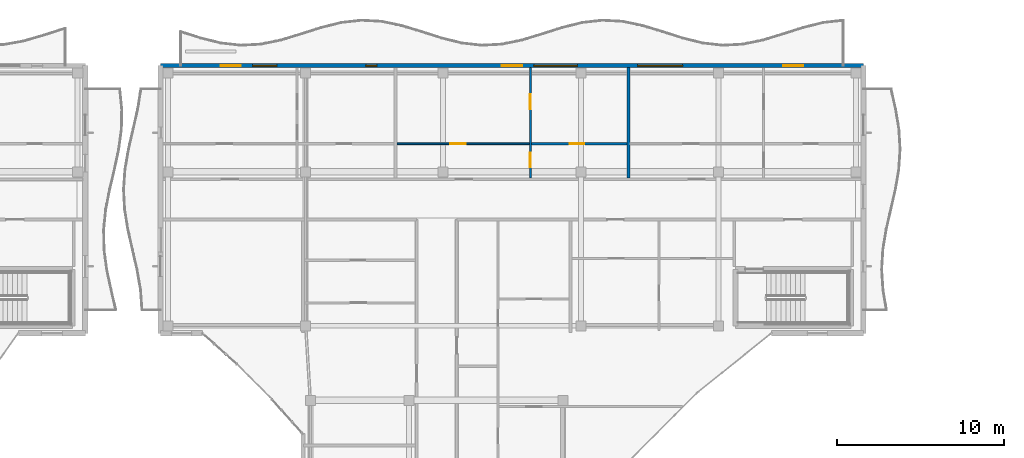
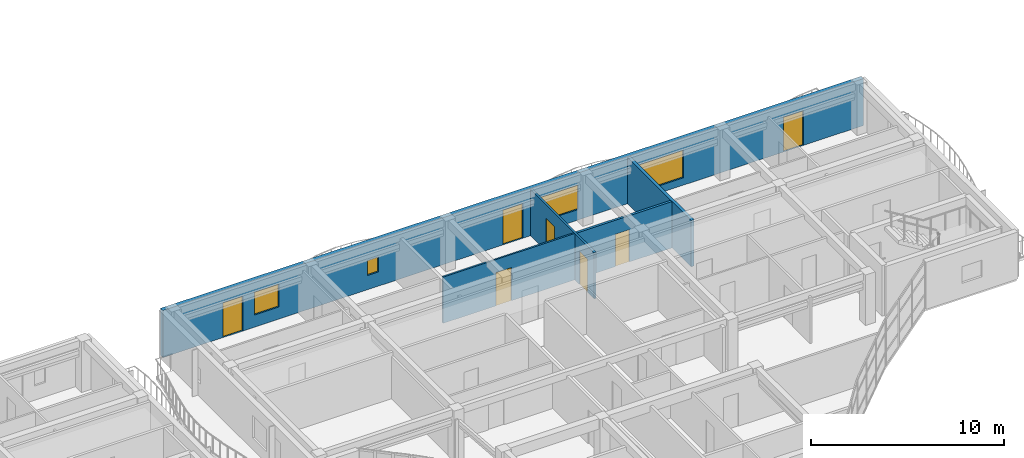
# One storey, part 37 of 76: 7 doors, 5 walls, 4 windows, 11 openings.
"""IFC4 building model written with IfcOpenShell, lengths in metres."""

import ifcopenshell
import ifcopenshell.guid

model = None  # the IFC model being written
_history = None  # IfcOwnerHistory: only IFC2X3 demands one
_inside = {}  # id of a spatial element -> (the spatial element, [elements in it])
_under = {}  # id of a project, library or spatial element -> (it, [spatial elements below it])
_declared = {}  # id of a project -> (the project, [libraries it declares])
_typed = {}  # id of a type object -> (the type object, [elements of that type])
_made_of = {}  # id of a material, layer set ... -> (it, [elements and type objects made of it])


def new_model(schema):
    """Start an empty IFC model of exactly this schema.

    Asked for "IFC4X3", IfcOpenShell would pick the latest addendum, in which some entities
    have other attributes; the version numbers below select the first issue.
    IFC2X3 requires an IfcOwnerHistory on every rooted entity: one is made here for all.
    """
    global model, _history
    if schema == "IFC4X3":
        model = ifcopenshell.file(schema_version=(4, 3, 0, 0))
    else:
        model = ifcopenshell.file(schema=schema)
    _inside.clear()
    _under.clear()
    _declared.clear()
    _typed.clear()
    _made_of.clear()
    _history = None
    if model.schema == "IFC2X3":
        org = make("IfcOrganization", Name="unknown")
        user = make(
            "IfcPersonAndOrganization",
            ThePerson=make("IfcPerson", FamilyName="unknown"),
            TheOrganization=org,
        )
        app = make(
            "IfcApplication",
            ApplicationDeveloper=org,
            Version="unknown",
            ApplicationFullName="unknown",
            ApplicationIdentifier="unknown",
        )
        _history = make(
            "IfcOwnerHistory",
            OwningUser=user,
            OwningApplication=app,
            ChangeAction="ADDED",
            CreationDate=0,
        )
    return model


def make(cls, **values):
    """One entity of the class cls with the attributes given. An attribute that is None is left unset."""
    return model.create_entity(
        cls, **{name: value for name, value in values.items() if value is not None}
    )


def rooted(cls, **values):
    """An entity with a GlobalId (a new one), such as an element, a storey or a relation."""
    return make(cls, GlobalId=ifcopenshell.guid.new(), OwnerHistory=_history, **values)


def si_unit(unit_type, name, prefix=None):
    """IfcSIUnit, for example si_unit("LENGTHUNIT", "METRE", prefix="MILLI")."""
    return make("IfcSIUnit", UnitType=unit_type, Prefix=prefix, Name=name)


def assignment(units):
    """IfcUnitAssignment: the units of a project."""
    return None if units is None else make("IfcUnitAssignment", Units=units)


def point(xyz):
    """IfcCartesianPoint."""
    return None if xyz is None else make("IfcCartesianPoint", Coordinates=xyz)


def direction(xyz):
    """IfcDirection."""
    return None if xyz is None else make("IfcDirection", DirectionRatios=xyz)


def frame(location, z_axis=None, x_axis=None):
    """IfcAxis2Placement3D, a coordinate frame: its origin and axes. An axis left out is left unset."""
    return make(
        "IfcAxis2Placement3D",
        Location=point(location),
        Axis=direction(z_axis),
        RefDirection=direction(x_axis),
    )


def frame_2d(location, x_axis=None):
    """IfcAxis2Placement2D, a coordinate frame in the plane: its origin and x axis."""
    return make(
        "IfcAxis2Placement2D", Location=point(location), RefDirection=direction(x_axis)
    )


def origin():
    """The frame at (0, 0, 0) with its axes left unset."""
    return frame((0.0, 0.0, 0.0))


def place(relative_to, where):
    """IfcLocalPlacement: puts the frame where relative to a parent placement (None: the world)."""
    return make(
        "IfcLocalPlacement", PlacementRelTo=relative_to, RelativePlacement=where
    )


def context(
    kind, dimensions, precision=None, world=None, true_north=None, identifier=None
):
    """IfcGeometricRepresentationContext, for example the 3D "Model" context."""
    return make(
        "IfcGeometricRepresentationContext",
        ContextIdentifier=identifier,
        ContextType=kind,
        CoordinateSpaceDimension=dimensions,
        Precision=precision,
        WorldCoordinateSystem=world,
        TrueNorth=true_north,
    )


def subcontext(parent, identifier, kind, view, scale=None):
    """IfcGeometricRepresentationSubContext, for example "Body" below "Model"."""
    return make(
        "IfcGeometricRepresentationSubContext",
        ContextIdentifier=identifier,
        ContextType=kind,
        ParentContext=parent,
        TargetScale=scale,
        TargetView=view,
    )


def project(units=None, contexts=None):
    """IfcProject with its units and contexts."""
    return rooted(
        "IfcProject",
        Name="project",
        RepresentationContexts=contexts,
        UnitsInContext=assignment(units),
    )


def spatial(cls, under=None, at=None, **own):
    """A site, building, storey or space (cls), placed at a placement, below another one or the project."""
    s = rooted(cls, ObjectPlacement=at, **own)
    if under is not None:
        _under.setdefault(under.id(), (under, []))[1].append(s)
    return s


def profile(cls, at=None, kind="AREA", **sizes):
    """A parametric profile (cls). Its sizes go by their IFC names, for example OverallWidth=200.0."""
    return make(cls, ProfileType=kind, Position=at, **sizes)


def rectangle(**sizes):
    """IfcRectangleProfileDef."""
    return profile("IfcRectangleProfileDef", **sizes)


def extrude(swept, where, along, depth):
    """IfcExtrudedAreaSolid: the profile swept, set in the frame where, extruded along a direction by depth."""
    return make(
        "IfcExtrudedAreaSolid",
        SweptArea=swept,
        Position=where,
        ExtrudedDirection=direction(along),
        Depth=depth,
    )


def shape(context_of_items, identifier, shape_type, items):
    """IfcShapeRepresentation: the items that make up one representation, for example the "Body"."""
    return make(
        "IfcShapeRepresentation",
        ContextOfItems=context_of_items,
        RepresentationIdentifier=identifier,
        RepresentationType=shape_type,
        Items=items,
    )


def material(Name=None, Category=None):
    """IfcMaterial."""
    return make("IfcMaterial", Name=Name, Category=Category)


def layer(
    of_material, thickness, ventilated=None, Name=None, Category=None, Priority=None
):
    """IfcMaterialLayer: one layer of a wall or slab, of a material (None: an air gap)."""
    return make(
        "IfcMaterialLayer",
        Material=of_material,
        LayerThickness=thickness,
        IsVentilated=ventilated,
        Name=Name,
        Category=Category,
        Priority=Priority,
    )


def layer_set(layers, Name=None):
    """IfcMaterialLayerSet."""
    return make("IfcMaterialLayerSet", MaterialLayers=layers, LayerSetName=Name)


def made_of(thing, what):
    """Note that an element or type object is made of a material, layer set ...; save() writes the relation."""
    if what is not None:
        _made_of.setdefault(what.id(), (what, []))[1].append(thing)
    return thing


def type_object(cls, material=None, **own):
    """A type object (cls), such as IfcWallType, which elements share."""
    return made_of(rooted(cls, **own), material)


def element(
    cls,
    number,
    at=None,
    inside=None,
    cuts=None,
    type_object=None,
    material=None,
    context=None,
    identifier="Body",
    shape_type=None,
    held_by="IfcProductDefinitionShape",
    body=None,
    shapes=None,
    **own,
):
    """One element of the class cls, such as IfcWall. Its Tag is "e" and its number.

    at: its placement. inside: the storey or other place that contains it. cuts: it is an
    opening in that element (IfcRelVoidsElement). A single representation is given by context,
    identifier, shape_type and body (its items); several are given by shapes. held_by: the class
    of the entity that holds the representations. save() writes the other relations.
    """
    e = rooted(cls, Tag="e%d" % number, ObjectPlacement=at, **own)
    if body is not None:
        shapes = [shape(context, identifier, shape_type, body)]
    if shapes is not None:
        e.Representation = make(held_by, Representations=shapes)
    if inside is not None:
        _inside.setdefault(inside.id(), (inside, []))[1].append(e)
    if cuts is not None:
        rooted(
            "IfcRelVoidsElement", RelatingBuildingElement=cuts, RelatedOpeningElement=e
        )
    if type_object is not None:
        _typed.setdefault(type_object.id(), (type_object, []))[1].append(e)
    return made_of(e, material)


def fill(opening, filler):
    """IfcRelFillsElement: the door or window that sits in an opening."""
    return rooted(
        "IfcRelFillsElement",
        RelatingOpeningElement=opening,
        RelatedBuildingElement=filler,
    )


def aggregate(whole, parts):
    """IfcRelAggregates: a whole, such as a stair, and the parts it consists of."""
    return rooted("IfcRelAggregates", RelatingObject=whole, RelatedObjects=parts)


def save(model, path):
    """Write the relations noted so far, then the file.

    IfcRelAggregates (storeys below a building ...), IfcRelContainedInSpatialStructure (elements
    in a storey), IfcRelDefinesByType, IfcRelAssociatesMaterial and IfcRelDeclares: one each for
    every whole, place, type object, material and project.
    """
    for whole, parts in _under.values():
        aggregate(whole, parts)
    for where, things in _inside.values():
        rooted(
            "IfcRelContainedInSpatialStructure",
            RelatedElements=things,
            RelatingStructure=where,
        )
    for kind, things in _typed.values():
        rooted("IfcRelDefinesByType", RelatedObjects=things, RelatingType=kind)
    for what, things in _made_of.values():
        rooted("IfcRelAssociatesMaterial", RelatedObjects=things, RelatingMaterial=what)
    for by, libraries in _declared.values():
        rooted("IfcRelDeclares", RelatingContext=by, RelatedDefinitions=libraries)
    model.write(path)


model = new_model("IFC4")

# Units and contexts
model_context = context("Model", 3, precision=1e-05, world=origin(), true_north=direction((0.0, 1.0)))
body_context = subcontext(model_context, "Body", "Model", "MODEL_VIEW")
ifc_project = project(units=[si_unit("LENGTHUNIT", "METRE"), si_unit("AREAUNIT", "SQUARE_METRE"), si_unit("VOLUMEUNIT", "CUBIC_METRE"), si_unit("PLANEANGLEUNIT", "RADIAN"), si_unit("MASSUNIT", "GRAM", prefix="KILO")], contexts=[model_context])

# Site, building, storey
site_placement = place(None, origin())
site = spatial("IfcSite", under=ifc_project, at=site_placement, CompositionType="ELEMENT")
building_placement = place(site_placement, origin())
building = spatial("IfcBuilding", under=site, at=building_placement, Name="Keldmere Railside Commons", CompositionType="ELEMENT")
storey_placement = place(building_placement, frame((0.0, 0.0, 13.760009765625)))
storey = spatial("IfcBuildingStorey", under=building, at=storey_placement, Name="L04", CompositionType="ELEMENT", Elevation=13.760009765625)

# Wall
ifc_material_1 = material(Name="Acoustic Gypsum Board Partition", Category="gypsum")
ifc_layer_1 = layer(ifc_material_1, 0.179931640625, Name="Acoustic Demising Partition 180")
ifc_layer_set_1 = layer_set([ifc_layer_1], Name="Acoustic Gypsum Board Partition")
wall_type_1 = type_object("IfcWallType", Name="Acoustic Demising Partition 180", PredefinedType="PARTITIONING", material=ifc_layer_set_1)
wall_1_placement = place(storey_placement, frame((67.449951171875, 109.280029296875, 0.0), z_axis=(0.0, 0.0, 1.0), x_axis=(0.0, 1.0, 0.0)))
element("IfcWall", 1, at=wall_1_placement, inside=storey, type_object=wall_type_1, Name="IW-1 IW-L04-0663", PredefinedType="PARTITIONING", context=body_context, shape_type="SweptSolid", body=[
    extrude(rectangle(XDim=6.599853515625, YDim=0.179931640625, at=frame_2d((3.2998046875, 0.0))), origin(), (0.0, 0.0, 1.0), 2.93505859375),
])

# Wall, openings, doors
ifc_layer_2 = layer(ifc_material_1, 0.1201171875, Name="Apartment Interior Partition 120")
ifc_layer_set_2 = layer_set([ifc_layer_2], Name="Acoustic Gypsum Board Partition")
wall_type_2 = type_object("IfcWallType", Name="Apartment Interior Partition 120", PredefinedType="PARTITIONING", material=ifc_layer_set_2)
wall_2_placement = place(storey_placement, frame((61.60009765625, 109.280029296875, 0.0), z_axis=(0.0, 0.0, 1.0), x_axis=(0.0, 1.0, 0.0)))
wall_2 = element("IfcWall", 2, at=wall_2_placement, inside=storey, type_object=wall_type_2, Name="IW-4 IW-L04-0667", PredefinedType="PARTITIONING", context=body_context, shape_type="SweptSolid", body=[
    extrude(rectangle(XDim=6.599853515625, YDim=0.1201171875, at=frame_2d((3.2998046875, 0.0))), origin(), (0.0, 0.0, 1.0), 2.93505859375),
])
opening_1_placement = place(wall_2_placement, frame((0.656005859375, 0.0, 0.0)))
opening_1 = element("IfcOpeningElement", 3, at=opening_1_placement, cuts=wall_2, Name="Opening ID-04", PredefinedType="OPENING", context=body_context, shape_type="SweptSolid", body=[
    extrude(rectangle(XDim=0.860107421875, YDim=2.10009765625, at=frame_2d((0.43017578125, 1.050048828125))), frame((0.0, 0.070068359375, 0.0), z_axis=(0.0, -1.0, 0.0), x_axis=(1.0, 0.0, 0.0)), (0.0, 0.0, 1.0), 0.14013671875),
])
opening_2_placement = place(wall_2_placement, frame((4.097412109375, 0.0, 0.0)))
opening_2 = element("IfcOpeningElement", 4, at=opening_2_placement, cuts=wall_2, Name="Opening ID-01", PredefinedType="OPENING", context=body_context, shape_type="SweptSolid", body=[
    extrude(rectangle(XDim=0.89990234375, YDim=2.10009765625, at=frame_2d((0.449951171875, 1.050048828125))), frame((0.0, 0.070068359375, 0.0), z_axis=(0.0, -1.0, 0.0), x_axis=(1.0, 0.0, 0.0)), (0.0, 0.0, 1.0), 0.14013671875),
])
ifc_material_2 = material(Name="Engineered Oak Timber", Category="wood")
door_type_1 = type_object("IfcDoorType", Name="Apartment Bathroom Door 860x2100", OperationType="NOTDEFINED", PredefinedType="DOOR", material=ifc_material_2)
door_1_placement = place(opening_1_placement, origin())
door_1 = element("IfcDoor", 5, at=door_1_placement, inside=storey, type_object=door_type_1, Name="ID-04 IDR-L04-0556", OperationType="SINGLE_SWING_RIGHT", OverallHeight=2.10009765625, OverallWidth=0.860107421875, PredefinedType="DOOR", context=body_context, shape_type="SweptSolid", body=[
    extrude(rectangle(XDim=0.860107421875, YDim=2.10009765625, at=frame_2d((0.43017578125, 1.050048828125))), frame((0.0, 0.02490234375, 0.0), z_axis=(0.0, -1.0, 0.0), x_axis=(1.0, 0.0, 0.0)), (0.0, 0.0, 1.0), 0.050048828125),
])
fill(opening_1, door_1)
door_type_2 = type_object("IfcDoorType", Name="Primary Bedroom Door 900x2100", OperationType="NOTDEFINED", PredefinedType="DOOR", material=ifc_material_2)
door_2_placement = place(opening_2_placement, origin())
door_2 = element("IfcDoor", 6, at=door_2_placement, inside=storey, type_object=door_type_2, Name="ID-01 IDR-L04-0557", OperationType="SINGLE_SWING_LEFT", OverallHeight=2.10009765625, OverallWidth=0.89990234375, PredefinedType="DOOR", context=body_context, shape_type="SweptSolid", body=[
    extrude(rectangle(XDim=0.89990234375, YDim=2.10009765625, at=frame_2d((0.449951171875, 1.050048828125))), frame((0.0, 0.02490234375, 0.0), z_axis=(0.0, -1.0, 0.0), x_axis=(1.0, 0.0, 0.0)), (0.0, 0.0, 1.0), 0.050048828125),
])
fill(opening_2, door_2)

# Wall, opening, door
ifc_layer_3 = layer(ifc_material_1, 0.10009765625, Name="Closet Light Partition 100")
ifc_layer_set_3 = layer_set([ifc_layer_3], Name="Acoustic Gypsum Board Partition")
wall_type_3 = type_object("IfcWallType", Name="Closet Light Partition 100", PredefinedType="PARTITIONING", material=ifc_layer_set_3)
wall_3_placement = place(storey_placement, frame((53.639892578125, 111.330078125, 0.0), z_axis=(0.0, 0.0, 1.0), x_axis=(1.0, 0.0, 0.0)))
wall_3 = element("IfcWall", 7, at=wall_3_placement, inside=storey, type_object=wall_type_3, Name="IW-6 IW-L04-0669", PredefinedType="PARTITIONING", context=body_context, shape_type="SweptSolid", body=[
    extrude(rectangle(XDim=7.900146484375, YDim=0.10009765625, at=frame_2d((3.9501953125, 0.0))), origin(), (0.0, 0.0, 1.0), 2.93505859375),
])
opening_3_placement = place(wall_3_placement, frame((3.18408203125, 0.0, 0.0)))
opening_3 = element("IfcOpeningElement", 8, at=opening_3_placement, cuts=wall_3, Name="Opening ID-03", PredefinedType="OPENING", context=body_context, shape_type="SweptSolid", body=[
    extrude(rectangle(XDim=0.919921875, YDim=2.10009765625, at=frame_2d((0.4599609375, 1.050048828125))), frame((0.0, 0.06005859375, 0.0), z_axis=(0.0, -1.0, 0.0), x_axis=(1.0, 0.0, 0.0)), (0.0, 0.0, 1.0), 0.1201171875),
])
door_type_3 = type_object("IfcDoorType", Name="Kitchen Pocket-Frame Swing Door 920x2100", OperationType="NOTDEFINED", PredefinedType="DOOR", material=ifc_material_2)
door_3_placement = place(opening_3_placement, origin())
door_3 = element("IfcDoor", 9, at=door_3_placement, inside=storey, type_object=door_type_3, Name="ID-03 IDR-L04-0555", OperationType="SINGLE_SWING_LEFT", OverallHeight=2.10009765625, OverallWidth=0.919921875, PredefinedType="DOOR", context=body_context, shape_type="SweptSolid", body=[
    extrude(rectangle(XDim=0.919921875, YDim=2.10009765625, at=frame_2d((0.4599609375, 1.050048828125))), frame((0.0, 0.02490234375, 0.0), z_axis=(0.0, -1.0, 0.0), x_axis=(1.0, 0.0, 0.0)), (0.0, 0.0, 1.0), 0.050048828125),
])
fill(opening_3, door_3)

# Wall, openings, doors, windows
ifc_material_3 = material(Name="Architectural Precast Concrete H-35 (C35/45)", Category="concrete")
ifc_layer_4 = layer(ifc_material_3, 0.239990234375, Name="Sand-Ochre Precast Cavity Wall 240")
ifc_layer_set_4 = layer_set([ifc_layer_4], Name="Architectural Precast Concrete H-35 (C35/45)")
wall_type_4 = type_object("IfcWallType", Name="Sand-Ochre Precast Cavity Wall 240", PredefinedType="SOLIDWALL", material=ifc_layer_set_4)
wall_4_placement = place(storey_placement, frame((39.5, 116.0, 0.0), z_axis=(0.0, 0.0, 1.0), x_axis=(1.0, 0.0, 0.0)))
wall_4 = element("IfcWall", 10, at=wall_4_placement, inside=storey, type_object=wall_type_4, Name="EW-2 EXTC-L04-0357", PredefinedType="SOLIDWALL", context=body_context, shape_type="SweptSolid", body=[
    extrude(rectangle(XDim=42.0, YDim=0.239990234375, at=frame_2d((21.0, 0.0))), origin(), (0.0, 0.0, 1.0), 2.97998046875),
])
opening_4_placement = place(wall_4_placement, frame((3.60009765625, 0.0, 0.0)))
opening_4 = element("IfcOpeningElement", 11, at=opening_4_placement, cuts=wall_4, Name="Opening BD-01", PredefinedType="OPENING", context=body_context, shape_type="SweptSolid", body=[
    extrude(rectangle(XDim=1.199951171875, YDim=2.199951171875, at=frame_2d((0.60009765625, 1.10009765625))), frame((0.0, 0.1298828125, 0.0), z_axis=(0.0, -1.0, 0.0), x_axis=(1.0, 0.0, 0.0)), (0.0, 0.0, 1.0), 0.260009765625),
])
opening_5_placement = place(wall_4_placement, frame((5.5, 0.0, 0.77001953125)))
opening_5 = element("IfcOpeningElement", 12, at=opening_5_placement, cuts=wall_4, Name="Opening WN-24", PredefinedType="OPENING", context=body_context, shape_type="SweptSolid", body=[
    extrude(rectangle(XDim=1.449951171875, YDim=1.449951171875, at=frame_2d((0.72509765625, 0.72509765625))), frame((0.0, 0.1298828125, 0.0), z_axis=(0.0, -1.0, 0.0), x_axis=(1.0, 0.0, 0.0)), (0.0, 0.0, 1.0), 0.260009765625),
])
opening_6_placement = place(wall_4_placement, frame((12.27490234375, 0.0, 0.89990234375)))
opening_6 = element("IfcOpeningElement", 13, at=opening_6_placement, cuts=wall_4, Name="Opening WN-15", PredefinedType="OPENING", context=body_context, shape_type="SweptSolid", body=[
    extrude(rectangle(XDim=0.64990234375, YDim=0.949951171875, at=frame_2d((0.324951171875, 0.47509765625))), frame((0.0, 0.1298828125, 0.0), z_axis=(0.0, -1.0, 0.0), x_axis=(1.0, 0.0, 0.0)), (0.0, 0.0, 1.0), 0.260009765625),
])
opening_7_placement = place(wall_4_placement, frame((20.39990234375, 0.0, 0.0)))
opening_7 = element("IfcOpeningElement", 14, at=opening_7_placement, cuts=wall_4, Name="Opening BD-01", PredefinedType="OPENING", context=body_context, shape_type="SweptSolid", body=[
    extrude(rectangle(XDim=1.199951171875, YDim=2.199951171875, at=frame_2d((0.60009765625, 1.10009765625))), frame((0.0, 0.1298828125, 0.0), z_axis=(0.0, -1.0, 0.0), x_axis=(1.0, 0.0, 0.0)), (0.0, 0.0, 1.0), 0.260009765625),
])
opening_8_placement = place(wall_4_placement, frame((22.300048828125, 0.0, 0.669921875)))
opening_8 = element("IfcOpeningElement", 15, at=opening_8_placement, cuts=wall_4, Name="Opening WN-39", PredefinedType="OPENING", context=body_context, shape_type="SweptSolid", body=[
    extrude(rectangle(XDim=2.60009765625, YDim=1.550048828125, at=frame_2d((1.300048828125, 0.77490234375))), frame((0.0, 0.1298828125, 0.0), z_axis=(0.0, -1.0, 0.0), x_axis=(1.0, 0.0, 0.0)), (0.0, 0.0, 1.0), 0.260009765625),
])
opening_9_placement = place(wall_4_placement, frame((28.5, 0.0, 0.469970703125)))
opening_9 = element("IfcOpeningElement", 16, at=opening_9_placement, cuts=wall_4, Name="Opening WN-19", PredefinedType="OPENING", context=body_context, shape_type="SweptSolid", body=[
    extrude(rectangle(XDim=2.699951171875, YDim=1.75, at=frame_2d((1.35009765625, 0.875))), frame((0.0, 0.1298828125, 0.0), z_axis=(0.0, -1.0, 0.0), x_axis=(1.0, 0.0, 0.0)), (0.0, 0.0, 1.0), 0.260009765625),
])
opening_10_placement = place(wall_4_placement, frame((37.199951171875, 0.0, 0.0)))
opening_10 = element("IfcOpeningElement", 17, at=opening_10_placement, cuts=wall_4, Name="Opening BD-01", PredefinedType="OPENING", context=body_context, shape_type="SweptSolid", body=[
    extrude(rectangle(XDim=1.199951171875, YDim=2.199951171875, at=frame_2d((0.60009765625, 1.10009765625))), frame((0.0, 0.1298828125, 0.0), z_axis=(0.0, -1.0, 0.0), x_axis=(1.0, 0.0, 0.0)), (0.0, 0.0, 1.0), 0.260009765625),
])
ifc_material_4 = material(Name="Thermally Broken Aluminium", Category="aluminium")
door_type_4 = type_object("IfcDoorType", Name="Apartment Living Wave-Balcony Glazed Door 1200x2200", OperationType="NOTDEFINED", PredefinedType="DOOR", material=ifc_material_4)
door_4_placement = place(opening_4_placement, origin())
door_4 = element("IfcDoor", 18, at=door_4_placement, inside=storey, type_object=door_type_4, Name="BD-01 DR-L04-0080", OperationType="SINGLE_SWING_RIGHT", OverallHeight=2.199951171875, OverallWidth=1.199951171875, PredefinedType="DOOR", context=body_context, shape_type="SweptSolid", body=[
    extrude(rectangle(XDim=1.199951171875, YDim=2.199951171875, at=frame_2d((0.60009765625, 1.10009765625))), frame((0.0, 0.02490234375, 0.0), z_axis=(0.0, -1.0, 0.0), x_axis=(1.0, 0.0, 0.0)), (0.0, 0.0, 1.0), 0.050048828125),
])
fill(opening_4, door_4)
door_5_placement = place(opening_7_placement, origin())
door_5 = element("IfcDoor", 19, at=door_5_placement, inside=storey, type_object=door_type_4, Name="BD-01 DR-L04-0081", OperationType="SINGLE_SWING_LEFT", OverallHeight=2.199951171875, OverallWidth=1.199951171875, PredefinedType="DOOR", context=body_context, shape_type="SweptSolid", body=[
    extrude(rectangle(XDim=1.199951171875, YDim=2.199951171875, at=frame_2d((0.60009765625, 1.10009765625))), frame((0.0, 0.02490234375, 0.0), z_axis=(0.0, -1.0, 0.0), x_axis=(1.0, 0.0, 0.0)), (0.0, 0.0, 1.0), 0.050048828125),
])
fill(opening_7, door_5)
door_6_placement = place(opening_10_placement, origin())
door_6 = element("IfcDoor", 20, at=door_6_placement, inside=storey, type_object=door_type_4, Name="BD-01 DR-L04-0082", OperationType="SINGLE_SWING_RIGHT", OverallHeight=2.199951171875, OverallWidth=1.199951171875, PredefinedType="DOOR", context=body_context, shape_type="SweptSolid", body=[
    extrude(rectangle(XDim=1.199951171875, YDim=2.199951171875, at=frame_2d((0.60009765625, 1.10009765625))), frame((0.0, 0.02490234375, 0.0), z_axis=(0.0, -1.0, 0.0), x_axis=(1.0, 0.0, 0.0)), (0.0, 0.0, 1.0), 0.050048828125),
])
fill(opening_10, door_6)
ifc_material_5 = material(Name="Low-E Insulated Double Glazing", Category="glass")
window_type_1 = type_object("IfcWindowType", Name="Exterior Bathroom Frosted Window 650x950", PartitioningType="SINGLE_PANEL", PredefinedType="WINDOW", material=ifc_material_5)
window_1_placement = place(opening_6_placement, origin())
window_1 = element("IfcWindow", 21, at=window_1_placement, inside=storey, type_object=window_type_1, Name="WN-15 WIN-L04-0238", OverallHeight=0.949951171875, OverallWidth=0.64990234375, PartitioningType="SINGLE_PANEL", PredefinedType="WINDOW", context=body_context, shape_type="SweptSolid", body=[
    extrude(rectangle(XDim=0.64990234375, YDim=0.949951171875, at=frame_2d((0.324951171875, 0.47509765625))), frame((0.0, 0.030029296875, 0.0), z_axis=(0.0, -1.0, 0.0), x_axis=(1.0, 0.0, 0.0)), (0.0, 0.0, 1.0), 0.06005859375),
])
fill(opening_6, window_1)
window_type_2 = type_object("IfcWindowType", Name="Resident Lounge Panorama Window 2700x1750", PartitioningType="SINGLE_PANEL", PredefinedType="WINDOW", material=ifc_material_5)
window_2_placement = place(opening_9_placement, origin())
window_2 = element("IfcWindow", 22, at=window_2_placement, inside=storey, type_object=window_type_2, Name="WN-19 WIN-L04-0240", OverallHeight=1.75, OverallWidth=2.699951171875, PartitioningType="SINGLE_PANEL", PredefinedType="WINDOW", context=body_context, shape_type="SweptSolid", body=[
    extrude(rectangle(XDim=2.699951171875, YDim=1.75, at=frame_2d((1.35009765625, 0.875))), frame((0.0, 0.030029296875, 0.0), z_axis=(0.0, -1.0, 0.0), x_axis=(1.0, 0.0, 0.0)), (0.0, 0.0, 1.0), 0.06005859375),
])
fill(opening_9, window_2)
window_type_3 = type_object("IfcWindowType", Name="Setback Terrace Bedroom Window 1450x1450", PartitioningType="SINGLE_PANEL", PredefinedType="WINDOW", material=ifc_material_5)
window_3_placement = place(opening_5_placement, origin())
window_3 = element("IfcWindow", 23, at=window_3_placement, inside=storey, type_object=window_type_3, Name="WN-24 WIN-L04-0237", OverallHeight=1.449951171875, OverallWidth=1.449951171875, PartitioningType="SINGLE_PANEL", PredefinedType="WINDOW", context=body_context, shape_type="SweptSolid", body=[
    extrude(rectangle(XDim=1.449951171875, YDim=1.449951171875, at=frame_2d((0.72509765625, 0.72509765625))), frame((0.0, 0.030029296875, 0.0), z_axis=(0.0, -1.0, 0.0), x_axis=(1.0, 0.0, 0.0)), (0.0, 0.0, 1.0), 0.06005859375),
])
fill(opening_5, window_3)
window_type_4 = type_object("IfcWindowType", Name="Three-Bed Corner Living Window 2600x1550", PartitioningType="SINGLE_PANEL", PredefinedType="WINDOW", material=ifc_material_5)
window_4_placement = place(opening_8_placement, origin())
window_4 = element("IfcWindow", 24, at=window_4_placement, inside=storey, type_object=window_type_4, Name="WN-39 WIN-L04-0239", OverallHeight=1.550048828125, OverallWidth=2.60009765625, PartitioningType="SINGLE_PANEL", PredefinedType="WINDOW", context=body_context, shape_type="SweptSolid", body=[
    extrude(rectangle(XDim=2.60009765625, YDim=1.550048828125, at=frame_2d((1.300048828125, 0.77490234375))), frame((0.0, 0.030029296875, 0.0), z_axis=(0.0, -1.0, 0.0), x_axis=(1.0, 0.0, 0.0)), (0.0, 0.0, 1.0), 0.06005859375),
])
fill(opening_8, window_4)

# Wall, opening, door
ifc_layer_5 = layer(ifc_material_1, 0.139892578125, Name="Wet-Room Sanitary Partition 140")
ifc_layer_set_5 = layer_set([ifc_layer_5], Name="Acoustic Gypsum Board Partition")
wall_type_5 = type_object("IfcWallType", Name="Wet-Room Sanitary Partition 140", PredefinedType="PARTITIONING", material=ifc_layer_set_5)
wall_5_placement = place(storey_placement, frame((61.659912109375, 111.330078125, 0.0), z_axis=(0.0, 0.0, 1.0), x_axis=(1.0, 0.0, 0.0)))
wall_5 = element("IfcWall", 25, at=wall_5_placement, inside=storey, type_object=wall_type_5, Name="IW-5 IW-L04-0668", PredefinedType="PARTITIONING", context=body_context, shape_type="SweptSolid", body=[
    extrude(rectangle(XDim=5.7001953125, YDim=0.139892578125, at=frame_2d((2.85009765625, 0.0))), origin(), (0.0, 0.0, 1.0), 2.93505859375),
])
opening_11_placement = place(wall_5_placement, frame((2.303955078125, 0.0, 0.0)))
opening_11 = element("IfcOpeningElement", 26, at=opening_11_placement, cuts=wall_5, Name="Opening ID-06", PredefinedType="OPENING", context=body_context, shape_type="SweptSolid", body=[
    extrude(rectangle(XDim=0.85009765625, YDim=2.050048828125, at=frame_2d((0.425048828125, 1.02490234375))), frame((0.0, 0.079833984375, 0.0), z_axis=(0.0, -1.0, 0.0), x_axis=(1.0, 0.0, 0.0)), (0.0, 0.0, 1.0), 0.159912109375),
])
door_type_5 = type_object("IfcDoorType", Name="Storage Closet Door 850x2050", OperationType="NOTDEFINED", PredefinedType="DOOR", material=ifc_material_2)
door_7_placement = place(opening_11_placement, origin())
door_7 = element("IfcDoor", 27, at=door_7_placement, inside=storey, type_object=door_type_5, Name="ID-06 IDR-L04-0558", OperationType="SINGLE_SWING_RIGHT", OverallHeight=2.050048828125, OverallWidth=0.85009765625, PredefinedType="DOOR", context=body_context, shape_type="SweptSolid", body=[
    extrude(rectangle(XDim=0.85009765625, YDim=2.050048828125, at=frame_2d((0.425048828125, 1.02490234375))), frame((0.0, 0.02490234375, 0.0), z_axis=(0.0, -1.0, 0.0), x_axis=(1.0, 0.0, 0.0)), (0.0, 0.0, 1.0), 0.050048828125),
])
fill(opening_11, door_7)

save(model, "model.ifc")
